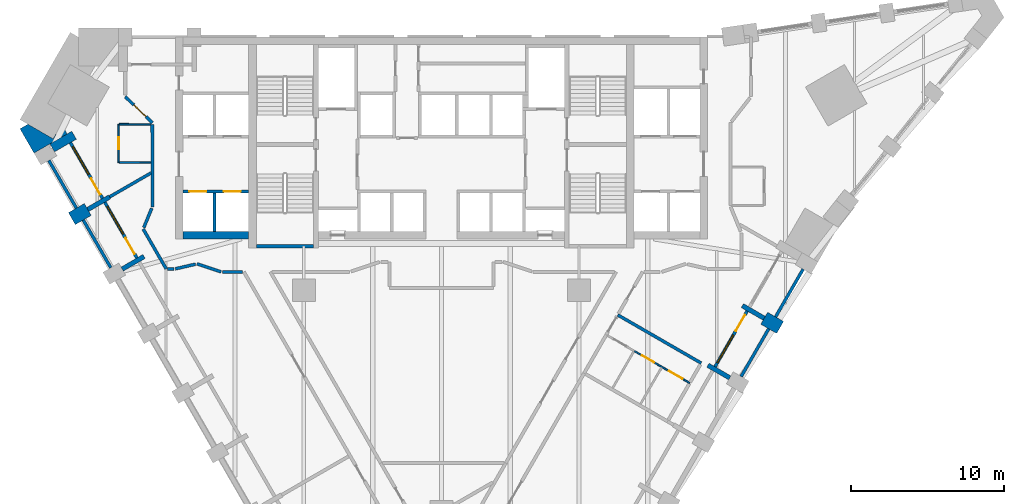
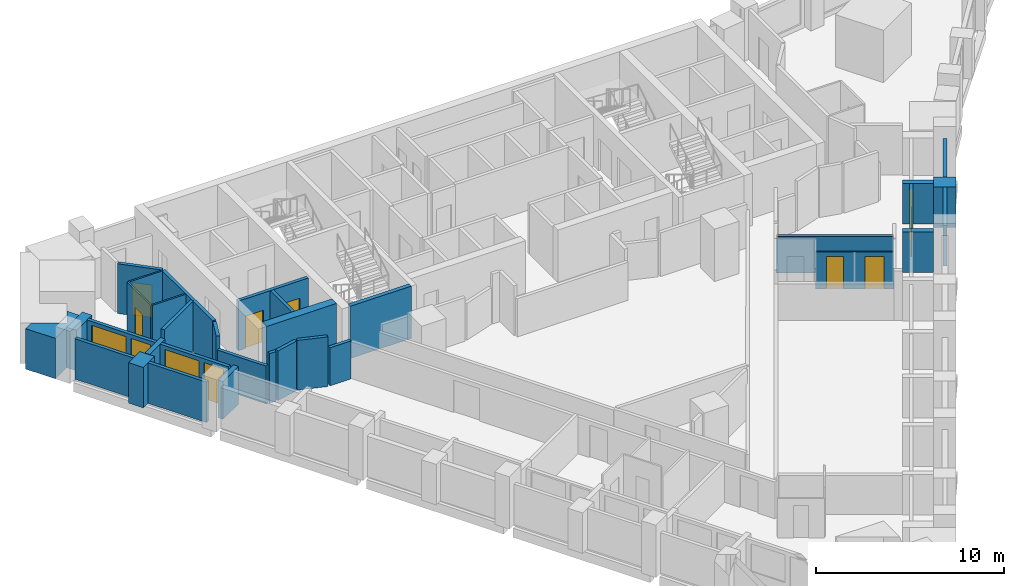
# One storey, part 5 of 10: 33 walls, 9 doors, 3 windows, 12 openings.
"""IFC4 building model written with IfcOpenShell, lengths in metres."""

from ifc_helpers import new_model, si_unit, direction, frame, frame_2d, origin, place, context, subcontext, project, spatial, polyline, rectangle, outline, extrude, material, layer, layer_set, type_object, element, fill, save


model = new_model("IFC4")

# Units and contexts
model_context = context("Model", 3, precision=1e-05, world=origin(), true_north=direction((0.0, 1.0)))
body_context = subcontext(model_context, "Body", "Model", "MODEL_VIEW")
ifc_project = project(units=[si_unit("LENGTHUNIT", "METRE"), si_unit("AREAUNIT", "SQUARE_METRE"), si_unit("VOLUMEUNIT", "CUBIC_METRE"), si_unit("PLANEANGLEUNIT", "RADIAN"), si_unit("MASSUNIT", "GRAM", prefix="KILO")], contexts=[model_context])

# Site, building, storey
site_placement = place(None, origin())
site = spatial("IfcSite", under=ifc_project, at=site_placement, CompositionType="ELEMENT")
building_placement = place(site_placement, origin())
building = spatial("IfcBuilding", under=site, at=building_placement, Name="Calabash Gate Tower", CompositionType="ELEMENT")
storey_placement = place(building_placement, frame((0.0, 0.0, 102.0)))
storey = spatial("IfcBuildingStorey", under=building, at=storey_placement, Name="L22", CompositionType="ELEMENT", Elevation=102.0)

# Walls
ifc_material_1 = material(Name="Terracotta brick masonry, exposed face", Category="masonry")
ifc_layer_1 = layer(ifc_material_1, 2.5)
ifc_layer_set_1 = layer_set([ifc_layer_1], Name="Brick corner mass wall 2500")
wall_type_1 = type_object("IfcWallType", Name="Brick corner mass wall 2500", PredefinedType="SOLIDWALL", material=ifc_layer_set_1)
wall_1_placement = place(storey_placement, origin())
element("IfcWall", 1, at=wall_1_placement, inside=storey, type_object=wall_type_1, Name="Brick corner pier S06 3c", PredefinedType="SOLIDWALL", context=body_context, shape_type="SweptSolid", body=[
    extrude(outline(polyline([(-24.837158203125, 13.3544921875), (-25.3857421875, 12.404541015625), (-27.03125, 13.3544921875), (-27.55078125, 13.054443359375), (-26.634521484375, 11.467529296875), (-24.469482421875, 12.717529296875), (-24.837158203125, 13.3544921875)])), origin(), (0.0, 0.0, 1.0), 2.6298828125),
])
ifc_material_2 = material(Name="Terracotta brick masonry, exposed face", Category="masonry")
ifc_layer_2 = layer(ifc_material_2, 1.199951171875)
ifc_layer_set_2 = layer_set([ifc_layer_2], Name="Brick end wall 1200")
wall_type_2 = type_object("IfcWallType", Name="Brick end wall 1200", PredefinedType="SOLIDWALL", material=ifc_layer_set_2)
wall_2_placement = place(storey_placement, frame((-24.159423828125, 7.1806640625, 0.0), z_axis=(0.0, 0.0, 1.0), x_axis=(0.866043267704, 0.499969057507, 0.0)))
element("IfcWall", 2, at=wall_2_placement, inside=storey, type_object=wall_type_2, Name="Brick pier S06 SW0.1", PredefinedType="SOLIDWALL", context=body_context, shape_type="SweptSolid", body=[
    extrude(rectangle(XDim=1.19970703125, YDim=0.89990234375, at=frame_2d((0.599853515625, 0.0))), origin(), (0.0, 0.0, 1.0), 2.6298828125),
])
wall_3_placement = place(storey_placement, frame((22.13671875, 0.0703125, 0.0), z_axis=(0.0, 0.0, 1.0), x_axis=(-0.865955154139, 0.50012165622, 0.0)))
element("IfcWall", 3, at=wall_3_placement, inside=storey, type_object=wall_type_2, Name="Brick pier S06 SE2.7", PredefinedType="SOLIDWALL", context=body_context, shape_type="SweptSolid", body=[
    extrude(rectangle(XDim=1.199951171875, YDim=0.89990234375, at=frame_2d((0.60009765625, 0.0))), origin(), (0.0, 0.0, 1.0), 2.6298828125),
])
ifc_material_3 = material(Name="Terracotta brick masonry, exposed face", Category="masonry")
ifc_layer_3 = layer(ifc_material_3, 0.300048828125)
ifc_layer_set_3 = layer_set([ifc_layer_3], Name="Brick loggia cheek wall 300")
wall_type_3 = type_object("IfcWallType", Name="Brick loggia cheek wall 300", PredefinedType="SOLIDWALL", material=ifc_layer_set_3)
wall_4_placement = place(storey_placement, frame((-25.4453125, 11.8076171875, 0.0), z_axis=(0.0, 0.0, 1.0), x_axis=(0.866040211805, 0.499974350878, 0.0)))
element("IfcWall", 4, at=wall_4_placement, inside=storey, type_object=wall_type_3, Name="Loggia cheek S06 SW0.0", PredefinedType="SOLIDWALL", context=body_context, shape_type="SweptSolid", body=[
    extrude(rectangle(XDim=1.64990234375, YDim=0.60009765625, at=frame_2d((0.824951171875, 0.0))), origin(), (0.0, 0.0, 1.0), 2.6298828125),
])
wall_5_placement = place(storey_placement, frame((-23.120361328125, 7.780517578125, 0.0), z_axis=(0.0, 0.0, 1.0), x_axis=(0.865976140824, 0.500085316245, 0.0)))
element("IfcWall", 5, at=wall_5_placement, inside=storey, type_object=wall_type_3, Name="Loggia cheek S06 SW0.1", PredefinedType="SOLIDWALL", context=body_context, shape_type="SweptSolid", body=[
    extrude(rectangle(XDim=1.650146484375, YDim=0.300048828125, at=frame_2d((0.8251953125, 0.0))), origin(), (0.0, 0.0, 1.0), 2.64990234375),
])
wall_6_placement = place(storey_placement, frame((-20.870361328125, 3.883544921875, 0.0), z_axis=(0.0, 0.0, 1.0), x_axis=(0.866040211805, 0.499974350878, 0.0)))
element("IfcWall", 6, at=wall_6_placement, inside=storey, type_object=wall_type_3, Name="Loggia cheek S06 SW0.2", PredefinedType="SOLIDWALL", context=body_context, shape_type="SweptSolid", body=[
    extrude(rectangle(XDim=1.64990234375, YDim=0.300048828125, at=frame_2d((0.824951171875, 0.0))), origin(), (0.0, 0.0, 1.0), 2.4501953125),
])
wall_7_placement = place(storey_placement, frame((17.418701171875, -2.40185546875, 0.0), z_axis=(0.0, 0.0, 1.0), x_axis=(0.866003217194, -0.500038426333, 0.0)))
element("IfcWall", 7, at=wall_7_placement, inside=storey, type_object=wall_type_3, Name="Loggia cheek S06 SE2.6", PredefinedType="SOLIDWALL", context=body_context, shape_type="SweptSolid", body=[
    extrude(rectangle(XDim=1.649658203125, YDim=0.300048828125, at=frame_2d((0.82470703125, 0.0))), origin(), (0.0, 0.0, 1.0), 2.64990234375),
])
wall_8_placement = place(storey_placement, frame((21.09765625, 0.67041015625, 0.0), z_axis=(0.0, 0.0, 1.0), x_axis=(-0.866040211805, 0.499974350878, 0.0)))
element("IfcWall", 8, at=wall_8_placement, inside=storey, type_object=wall_type_3, Name="Loggia cheek S06 SE2.7", PredefinedType="SOLIDWALL", context=body_context, shape_type="SweptSolid", body=[
    extrude(rectangle(XDim=1.64990234375, YDim=0.300048828125, at=frame_2d((0.824951171875, 0.0))), origin(), (0.0, 0.0, 1.0), 2.64990234375),
])
ifc_material_4 = material(Name="Concrete C80/95", Category="concrete")
ifc_layer_4 = layer(ifc_material_4, 0.25)
ifc_layer_set_4 = layer_set([ifc_layer_4], Name="Core wall 250 Concrete C80/95")
wall_type_4 = type_object("IfcWallType", Name="Core wall 250 Concrete C80/95", PredefinedType="SHEAR", material=ifc_layer_set_4)
wall_9_placement = place(storey_placement, frame((-12.10009765625, 5.377685546875, 0.0), z_axis=(0.0, 0.0, 1.0), x_axis=(1.0, 0.0, 0.0)))
element("IfcWall", 9, at=wall_9_placement, inside=storey, type_object=wall_type_4, Name="Core wall Z2-SSW L22", PredefinedType="SHEAR", context=body_context, shape_type="SweptSolid", body=[
    extrude(rectangle(XDim=3.75, YDim=0.25, at=frame_2d((1.875, 0.0))), origin(), (0.0, 0.0, 1.0), 3.39990234375),
])
ifc_material_5 = material(Name="Concrete C80/95", Category="concrete")
ifc_layer_5 = layer(ifc_material_5, 0.5)
ifc_layer_set_5 = layer_set([ifc_layer_5], Name="Core wall 500 Concrete C80/95")
wall_type_5 = type_object("IfcWallType", Name="Core wall 500 Concrete C80/95", PredefinedType="SHEAR", material=ifc_layer_set_5)
wall_10_placement = place(storey_placement, frame((-12.60009765625, 6.1025390625, 0.0), z_axis=(0.0, 0.0, 1.0), x_axis=(-1.0, 0.0, 0.0)))
element("IfcWall", 10, at=wall_10_placement, inside=storey, type_object=wall_type_5, Name="Core wall Z2-SW L22", PredefinedType="SHEAR", context=body_context, shape_type="SweptSolid", body=[
    extrude(rectangle(XDim=4.2998046875, YDim=0.5, at=frame_2d((2.14990234375, 0.0))), origin(), (0.0, 0.0, 1.0), 3.39990234375),
])

# Wall, openings, doors
ifc_material_6 = material(Name="Gypsum board on steel studs, mineral wool", Category="steel")
ifc_layer_6 = layer(ifc_material_6, 0.10009765625)
ifc_layer_set_6 = layer_set([ifc_layer_6], Name="Partition 100 gypsum board")
wall_type_6 = type_object("IfcWallType", Name="Partition 100 gypsum board", PredefinedType="PARTITIONING", material=ifc_layer_set_6)
wall_11_placement = place(storey_placement, frame((12.59326171875, -1.46337890625, 0.0), z_axis=(0.0, 0.0, 1.0), x_axis=(0.866022890907, -0.500004352405, 0.0)))
wall_11 = element("IfcWall", 11, at=wall_11_placement, inside=storey, type_object=wall_type_6, Name="Partition", PredefinedType="PARTITIONING", context=body_context, shape_type="SweptSolid", body=[
    extrude(rectangle(XDim=4.1982421875, YDim=0.10009765625, at=frame_2d((2.09912109375, 0.0))), origin(), (0.0, 0.0, 1.0), 2.384033203125),
])
opening_1_placement = place(wall_11_placement, frame((0.59814453125, 0.0, 0.0)))
opening_1 = element("IfcOpeningElement", 12, at=opening_1_placement, cuts=wall_11, Name="Opening 22-24-014", PredefinedType="OPENING", context=body_context, shape_type="SweptSolid", body=[
    extrude(rectangle(XDim=0.89990234375, YDim=2.10009765625, at=frame_2d((0.449951171875, 1.050048828125))), frame((0.0, 0.06005859375, 0.0), z_axis=(0.0, -1.0, 0.0), x_axis=(1.0, 0.0, 0.0)), (0.0, 0.0, 1.0), 0.1201171875),
])
opening_2_placement = place(wall_11_placement, frame((2.648193359375, 0.0, 0.0)))
opening_2 = element("IfcOpeningElement", 13, at=opening_2_placement, cuts=wall_11, Name="Opening 22-24-015", PredefinedType="OPENING", context=body_context, shape_type="SweptSolid", body=[
    extrude(rectangle(XDim=1.0, YDim=2.10009765625, at=frame_2d((0.5, 1.050048828125))), frame((0.0, 0.06005859375, 0.0), z_axis=(0.0, -1.0, 0.0), x_axis=(1.0, 0.0, 0.0)), (0.0, 0.0, 1.0), 0.1201171875),
])
ifc_material_7 = material(Name="Painted timber door", Category="wood")
door_type_1 = type_object("IfcDoorType", Name="WD1 WC door 900x2100", OperationType="NOTDEFINED", PredefinedType="DOOR", material=ifc_material_7)
door_1_placement = place(opening_1_placement, origin())
door_1 = element("IfcDoor", 14, at=door_1_placement, inside=storey, type_object=door_type_1, Name="WC door", OperationType="SINGLE_SWING_RIGHT", OverallHeight=2.10009765625, OverallWidth=0.89990234375, PredefinedType="DOOR", context=body_context, shape_type="SweptSolid", body=[
    extrude(rectangle(XDim=0.89990234375, YDim=2.10009765625, at=frame_2d((0.449951171875, 1.050048828125))), frame((0.0, 0.02490234375, 0.0), z_axis=(0.0, -1.0, 0.0), x_axis=(1.0, 0.0, 0.0)), (0.0, 0.0, 1.0), 0.050048828125),
])
fill(opening_1, door_1)
ifc_material_8 = material(Name="Painted timber door", Category="wood")
door_type_2 = type_object("IfcDoorType", Name="WD2 Accessible WC door 1000x2100", OperationType="NOTDEFINED", PredefinedType="DOOR", material=ifc_material_8)
door_2_placement = place(opening_2_placement, origin())
door_2 = element("IfcDoor", 15, at=door_2_placement, inside=storey, type_object=door_type_2, Name="Accessible WC door", OperationType="SINGLE_SWING_LEFT", OverallHeight=2.10009765625, OverallWidth=1.0, PredefinedType="DOOR", context=body_context, shape_type="SweptSolid", body=[
    extrude(rectangle(XDim=1.0, YDim=2.10009765625, at=frame_2d((0.5, 1.050048828125))), frame((0.0, 0.02490234375, 0.0), z_axis=(0.0, -1.0, 0.0), x_axis=(1.0, 0.0, 0.0)), (0.0, 0.0, 1.0), 0.050048828125),
])
fill(opening_2, door_2)

# Wall
wall_12_placement = place(storey_placement, frame((-21.050537109375, 10.852294921875, 0.0), z_axis=(0.0, 0.0, 1.0), x_axis=(0.99999965253, 0.000833630769, 0.0)))
element("IfcWall", 16, at=wall_12_placement, inside=storey, type_object=wall_type_6, Name="Partition", PredefinedType="PARTITIONING", context=body_context, shape_type="SweptSolid", body=[
    extrude(rectangle(XDim=2.050048828125, YDim=0.10009765625, at=frame_2d((1.02490234375, 0.0))), origin(), (0.0, 0.0, 1.0), 3.22998046875),
])

# Wall, opening, door
wall_13_placement = place(storey_placement, frame((-21.1005859375, 10.852294921875, 0.0), z_axis=(0.0, 0.0, 1.0), x_axis=(0.0, 1.0, 0.0)))
wall_13 = element("IfcWall", 17, at=wall_13_placement, inside=storey, type_object=wall_type_6, Name="Partition", PredefinedType="PARTITIONING", context=body_context, shape_type="SweptSolid", body=[
    extrude(rectangle(XDim=2.5, YDim=0.10009765625, at=frame_2d((1.25, 0.0))), origin(), (0.0, 0.0, 1.0), 3.22998046875),
])
opening_3_placement = place(wall_13_placement, frame((0.85009765625, 0.0, 0.0)))
opening_3 = element("IfcOpeningElement", 18, at=opening_3_placement, cuts=wall_13, Name="Opening 22-24-009", PredefinedType="OPENING", context=body_context, shape_type="SweptSolid", body=[
    extrude(rectangle(XDim=0.800048828125, YDim=2.10009765625, at=frame_2d((0.39990234375, 1.050048828125))), frame((0.0, 0.06005859375, 0.0), z_axis=(0.0, -1.0, 0.0), x_axis=(1.0, 0.0, 0.0)), (0.0, 0.0, 1.0), 0.1201171875),
])
ifc_material_9 = material(Name="Painted timber door", Category="wood")
door_type_3 = type_object("IfcDoorType", Name="GD5 En-suite door 800x2100", OperationType="NOTDEFINED", PredefinedType="DOOR", material=ifc_material_9)
door_3_placement = place(opening_3_placement, origin())
door_3 = element("IfcDoor", 19, at=door_3_placement, inside=storey, type_object=door_type_3, Name="En-suite door", OperationType="SINGLE_SWING_RIGHT", OverallHeight=2.10009765625, OverallWidth=0.800048828125, PredefinedType="DOOR", context=body_context, shape_type="SweptSolid", body=[
    extrude(rectangle(XDim=0.800048828125, YDim=2.10009765625, at=frame_2d((0.39990234375, 1.050048828125))), frame((0.0, 0.02490234375, 0.0), z_axis=(0.0, -1.0, 0.0), x_axis=(1.0, 0.0, 0.0)), (0.0, 0.0, 1.0), 0.050048828125),
])
fill(opening_3, door_3)

# Walls
wall_14_placement = place(storey_placement, frame((-21.050537109375, 13.352294921875, 0.0), z_axis=(0.0, 0.0, 1.0), x_axis=(0.99999965253, -0.000833630769, 0.0)))
element("IfcWall", 20, at=wall_14_placement, inside=storey, type_object=wall_type_6, Name="Partition", PredefinedType="PARTITIONING", context=body_context, shape_type="SweptSolid", body=[
    extrude(rectangle(XDim=2.050048828125, YDim=0.10009765625, at=frame_2d((1.02490234375, 0.0))), origin(), (0.0, 0.0, 1.0), 3.22998046875),
])
ifc_material_10 = material(Name="Gypsum board on steel studs, mineral wool", Category="steel")
ifc_layer_7 = layer(ifc_material_10, 0.199951171875)
ifc_layer_set_7 = layer_set([ifc_layer_7], Name="Partition 200 gypsum board EI 60")
wall_type_7 = type_object("IfcWallType", Name="Partition 200 gypsum board EI 60", PredefinedType="PARTITIONING", material=ifc_layer_set_7)
wall_15_placement = place(storey_placement, frame((11.52490234375, 0.885986328125, 0.0), z_axis=(0.0, 0.0, 1.0), x_axis=(0.866148153111, -0.499787331635, 0.0)))
element("IfcWall", 21, at=wall_15_placement, inside=storey, type_object=wall_type_7, Name="Partition", PredefinedType="PARTITIONING", context=body_context, shape_type="SweptSolid", body=[
    extrude(rectangle(XDim=6.298095703125, YDim=0.199951171875, at=frame_2d((3.14892578125, 0.0))), origin(), (0.0, 0.0, 1.0), 2.384033203125),
])
wall_16_placement = place(storey_placement, frame((-14.300048828125, 3.699462890625, 0.0), z_axis=(0.0, 0.0, 1.0), x_axis=(1.0, 0.0, 0.0)))
element("IfcWall", 22, at=wall_16_placement, inside=storey, type_object=wall_type_7, Name="Partition", PredefinedType="PARTITIONING", context=body_context, shape_type="SweptSolid", body=[
    extrude(rectangle(XDim=1.287353515625, YDim=0.199951171875, at=frame_2d((0.6435546875, 0.0))), origin(), (0.0, 0.0, 1.0), 2.4736328125),
])
wall_17_placement = place(storey_placement, frame((-17.8935546875, 3.89990234375, 0.0), z_axis=(0.0, 0.0, 1.0), x_axis=(0.999999807585, -0.000620347275, 0.0)))
element("IfcWall", 23, at=wall_17_placement, inside=storey, type_object=wall_type_7, Name="Partition", PredefinedType="PARTITIONING", context=body_context, shape_type="SweptSolid", body=[
    extrude(rectangle(XDim=0.3935546875, YDim=0.199951171875, at=frame_2d((0.19677734375, 0.0))), origin(), (0.0, 0.0, 1.0), 3.22998046875),
])
wall_18_placement = place(storey_placement, frame((-17.39990234375, 3.8994140625, 0.0), z_axis=(0.0, 0.0, 1.0), x_axis=(0.974284755848, 0.225320248808, 0.0)))
element("IfcWall", 24, at=wall_18_placement, inside=storey, type_object=wall_type_7, Name="Partition", PredefinedType="PARTITIONING", context=body_context, shape_type="SweptSolid", body=[
    extrude(rectangle(XDim=1.3544921875, YDim=0.199951171875, at=frame_2d((0.67724609375, 0.0))), origin(), (0.0, 0.0, 1.0), 3.22998046875),
])
wall_19_placement = place(storey_placement, frame((-15.98291015625, 4.22705078125, 0.0), z_axis=(0.0, 0.0, 1.0), x_axis=(0.948683298051, -0.316227766017, 0.0)))
element("IfcWall", 25, at=wall_19_placement, inside=storey, type_object=wall_type_7, Name="Partition", PredefinedType="PARTITIONING", context=body_context, shape_type="SweptSolid", body=[
    extrude(rectangle(XDim=1.66845703125, YDim=0.199951171875, at=frame_2d((0.834228515625, 0.0))), origin(), (0.0, 0.0, 1.0), 3.22998046875),
])
wall_20_placement = place(storey_placement, frame((-19.496826171875, 6.50390625, 0.0), z_axis=(0.0, 0.0, 1.0), x_axis=(0.499938005563, -0.866061193331, 0.0)))
element("IfcWall", 26, at=wall_20_placement, inside=storey, type_object=wall_type_7, Name="Partition", PredefinedType="PARTITIONING", context=body_context, shape_type="SweptSolid", body=[
    extrude(rectangle(XDim=3.0068359375, YDim=0.199951171875, at=frame_2d((1.50341796875, 0.0))), origin(), (0.0, 0.0, 1.0), 2.4501953125),
])
wall_21_placement = place(storey_placement, frame((-19.458740234375, 6.596435546875, 0.0), z_axis=(0.0, 0.0, 1.0), x_axis=(0.380552104402, 0.924759479992, 0.0)))
element("IfcWall", 27, at=wall_21_placement, inside=storey, type_object=wall_type_7, Name="Partition", PredefinedType="PARTITIONING", context=body_context, shape_type="SweptSolid", body=[
    extrude(rectangle(XDim=1.366455078125, YDim=0.199951171875, at=frame_2d((0.68310546875, 0.0))), origin(), (0.0, 0.0, 1.0), 3.22998046875),
])
wall_22_placement = place(storey_placement, frame((-21.69140625, 8.605712890625, 0.0), z_axis=(0.0, 0.0, 1.0), x_axis=(0.866035862278, 0.499981884921, 0.0)))
element("IfcWall", 28, at=wall_22_placement, inside=storey, type_object=wall_type_7, Name="Partition", PredefinedType="PARTITIONING", context=body_context, shape_type="SweptSolid", body=[
    extrude(rectangle(XDim=3.12255859375, YDim=0.199951171875, at=frame_2d((1.561279296875, 0.0))), origin(), (0.0, 0.0, 1.0), 3.22998046875),
])
wall_23_placement = place(storey_placement, frame((-18.904052734375, 13.352294921875, 0.0), z_axis=(0.0, 0.0, 1.0), x_axis=(0.000678211175, -0.999999770015, 0.0)))
element("IfcWall", 29, at=wall_23_placement, inside=storey, type_object=wall_type_7, Name="Partition", PredefinedType="PARTITIONING", context=body_context, shape_type="SweptSolid", body=[
    extrude(rectangle(XDim=5.399658203125, YDim=0.199951171875, at=frame_2d((2.69970703125, 0.0))), origin(), (0.0, 0.0, 1.0), 3.22998046875),
])

# Wall, opening, door
wall_24_placement = place(storey_placement, frame((-20.66943359375, 15.15234375, 0.0), z_axis=(0.0, 0.0, 1.0), x_axis=(0.721047194307, -0.692885952796, 0.0)))
wall_24 = element("IfcWall", 30, at=wall_24_placement, inside=storey, type_object=wall_type_7, Name="Partition", PredefinedType="PARTITIONING", context=body_context, shape_type="SweptSolid", body=[
    extrude(rectangle(XDim=2.453369140625, YDim=0.199951171875, at=frame_2d((1.2265625, 0.0))), origin(), (0.0, 0.0, 1.0), 3.22998046875),
])
opening_4_placement = place(wall_24_placement, frame((0.776611328125, 0.0, 0.0)))
opening_4 = element("IfcOpeningElement", 31, at=opening_4_placement, cuts=wall_24, Name="Opening 22-24-016", PredefinedType="OPENING", context=body_context, shape_type="SweptSolid", body=[
    extrude(rectangle(XDim=1.10009765625, YDim=2.10009765625, at=frame_2d((0.550048828125, 1.050048828125))), frame((0.0, 0.10986328125, 0.0), z_axis=(0.0, -1.0, 0.0), x_axis=(1.0, 0.0, 0.0)), (0.0, 0.0, 1.0), 0.219970703125),
])
ifc_material_11 = material(Name="Steel fire door set with fire-resisting glazing", Category="steel")
door_type_4 = type_object("IfcDoorType", Name="GD3 Suite entrance door 1100x2100", OperationType="NOTDEFINED", PredefinedType="DOOR", material=ifc_material_11)
door_4_placement = place(opening_4_placement, origin())
door_4 = element("IfcDoor", 32, at=door_4_placement, inside=storey, type_object=door_type_4, Name="Suite entrance door", OperationType="SINGLE_SWING_LEFT", OverallHeight=2.10009765625, OverallWidth=1.10009765625, PredefinedType="DOOR", context=body_context, shape_type="SweptSolid", body=[
    extrude(rectangle(XDim=1.10009765625, YDim=2.10009765625, at=frame_2d((0.550048828125, 1.050048828125))), frame((0.0, 0.02490234375, 0.0), z_axis=(0.0, -1.0, 0.0), x_axis=(1.0, 0.0, 0.0)), (0.0, 0.0, 1.0), 0.050048828125),
])
fill(opening_4, door_4)

# Wall
ifc_material_12 = material(Name="Concrete C40/50", Category="concrete")
ifc_layer_8 = layer(ifc_material_12, 0.199951171875)
ifc_layer_set_8 = layer_set([ifc_layer_8], Name="Shaft wall 200 Concrete C40/50")
wall_type_8 = type_object("IfcWallType", Name="Shaft wall 200 Concrete C40/50", PredefinedType="SOLIDWALL", material=ifc_layer_set_8)
wall_25_placement = place(storey_placement, frame((-14.85009765625, 6.3525390625, 0.0), z_axis=(0.0, 0.0, 1.0), x_axis=(0.0, 1.0, 0.0)))
element("IfcWall", 33, at=wall_25_placement, inside=storey, type_object=wall_type_8, Name="Shaft wall", PredefinedType="SOLIDWALL", context=body_context, shape_type="SweptSolid", body=[
    extrude(rectangle(XDim=2.5, YDim=0.199951171875, at=frame_2d((1.25, 0.0))), origin(), (0.0, 0.0, 1.0), 3.22998046875),
])

# Wall, openings, doors
wall_26_placement = place(storey_placement, frame((-16.89990234375, 8.95263671875, 0.0), z_axis=(0.0, 0.0, 1.0), x_axis=(1.0, 0.0, 0.0)))
wall_26 = element("IfcWall", 34, at=wall_26_placement, inside=storey, type_object=wall_type_8, Name="Shaft wall", PredefinedType="SOLIDWALL", context=body_context, shape_type="SweptSolid", body=[
    extrude(rectangle(XDim=4.2998046875, YDim=0.199951171875, at=frame_2d((2.14990234375, 0.0))), origin(), (0.0, 0.0, 1.0), 3.22998046875),
])
opening_5_placement = place(wall_26_placement, frame((2.675048828125, 0.0, 0.0)))
opening_5 = element("IfcOpeningElement", 35, at=opening_5_placement, cuts=wall_26, Name="Opening LD-LR1", PredefinedType="OPENING", context=body_context, shape_type="SweptSolid", body=[
    extrude(rectangle(XDim=1.10009765625, YDim=2.10009765625, at=frame_2d((0.550048828125, 1.050048828125))), frame((0.0, 0.10986328125, 0.0), z_axis=(0.0, -1.0, 0.0), x_axis=(1.0, 0.0, 0.0)), (0.0, 0.0, 1.0), 0.219970703125),
])
opening_6_placement = place(wall_26_placement, frame((0.425048828125, 0.0, 0.0)))
opening_6 = element("IfcOpeningElement", 36, at=opening_6_placement, cuts=wall_26, Name="Opening LD-LR2", PredefinedType="OPENING", context=body_context, shape_type="SweptSolid", body=[
    extrude(rectangle(XDim=1.10009765625, YDim=2.10009765625, at=frame_2d((0.550048828125, 1.050048828125))), frame((0.0, 0.10986328125, 0.0), z_axis=(0.0, -1.0, 0.0), x_axis=(1.0, 0.0, 0.0)), (0.0, 0.0, 1.0), 0.219970703125),
])
ifc_material_13 = material(Name="Stainless steel sliding door leaves", Category="steel")
door_type_5 = type_object("IfcDoorType", Name="Lift landing door LS1 1100x2100 FD90", OperationType="DOUBLE_DOOR_SLIDING", PredefinedType="DOOR", material=ifc_material_13)
door_5_placement = place(opening_5_placement, origin())
door_5 = element("IfcDoor", 37, at=door_5_placement, inside=storey, type_object=door_type_5, Name="Lift landing door LR1", OperationType="DOUBLE_DOOR_SLIDING", OverallHeight=2.10009765625, OverallWidth=1.10009765625, PredefinedType="DOOR", context=body_context, shape_type="SweptSolid", body=[
    extrude(rectangle(XDim=1.10009765625, YDim=2.10009765625, at=frame_2d((0.550048828125, 1.050048828125))), frame((0.0, 0.02490234375, 0.0), z_axis=(0.0, -1.0, 0.0), x_axis=(1.0, 0.0, 0.0)), (0.0, 0.0, 1.0), 0.050048828125),
])
fill(opening_5, door_5)
door_6_placement = place(opening_6_placement, origin())
door_6 = element("IfcDoor", 38, at=door_6_placement, inside=storey, type_object=door_type_5, Name="Lift landing door LR2", OperationType="DOUBLE_DOOR_SLIDING", OverallHeight=2.10009765625, OverallWidth=1.10009765625, PredefinedType="DOOR", context=body_context, shape_type="SweptSolid", body=[
    extrude(rectangle(XDim=1.10009765625, YDim=2.10009765625, at=frame_2d((0.550048828125, 1.050048828125))), frame((0.0, 0.02490234375, 0.0), z_axis=(0.0, -1.0, 0.0), x_axis=(1.0, 0.0, 0.0)), (0.0, 0.0, 1.0), 0.050048828125),
])
fill(opening_6, door_6)

# Walls
ifc_material_14 = material(Name="Terracotta brick masonry, perforated", Category="masonry")
ifc_layer_9 = layer(ifc_material_14, 0.199951171875)
ifc_layer_set_9 = layer_set([ifc_layer_9], Name="Terracotta jaali screen B")
wall_type_9 = type_object("IfcWallType", Name="Terracotta jaali screen B", PredefinedType="SOLIDWALL", material=ifc_layer_set_9)
for number, where, z_axis, x_axis, name in (
    (39, (-25.664794921875, 10.988037109375, 0.0), (0.0, 0.0, 1.0), (0.499961193289, -0.866047807691, 0.0), "SCREEN B S06 SW0.1"),
    (40, (-23.414794921875, 7.0908203125, 0.0), (0.0, 0.0, 1.0), (0.499961193289, -0.866047807691, 0.0), "SCREEN B S06 SW0.2"),
):
    element("IfcWall", number, at=place(storey_placement, frame(where, z_axis=z_axis, x_axis=x_axis)), inside=storey, type_object=wall_type_9, Name=name, PredefinedType="SOLIDWALL", context=body_context, shape_type="SweptSolid", body=[
        extrude(rectangle(XDim=3.599853515625, YDim=0.199951171875, at=frame_2d((1.7998046875, 0.0))), origin(), (0.0, 0.0, 1.0), 2.6298828125),
    ])
for number, where, z_axis, x_axis, name in (
    (41, (19.592041015625, -3.136962890625, 0.0), (0.0, 0.0, 1.0), (0.500012057535, 0.866018442252, 0.0), "SCREEN B S06 SE2.7"),
    (42, (21.842041015625, 0.760009765625, 0.0), (0.0, 0.0, 1.0), (0.500012057535, 0.866018442252, 0.0), "SCREEN B S06 SE2.8"),
):
    element("IfcWall", number, at=place(storey_placement, frame(where, z_axis=z_axis, x_axis=x_axis)), inside=storey, type_object=wall_type_9, Name=name, PredefinedType="SOLIDWALL", context=body_context, shape_type="SweptSolid", body=[
        extrude(rectangle(XDim=3.60009765625, YDim=0.199951171875, at=frame_2d((1.800048828125, 0.0))), origin(), (0.0, 0.0, 1.0), 2.6298828125),
    ])

# Wall, openings, door, window
ifc_material_15 = material(Name="Aluminium framed window wall with insulated spandrel", Category="aluminium")
ifc_layer_10 = layer(ifc_material_15, 0.199951171875)
ifc_layer_set_10 = layer_set([ifc_layer_10], Name="Window wall 200")
wall_type_10 = type_object("IfcWallType", Name="Window wall 200", PredefinedType="ELEMENTEDWALL", material=ifc_layer_set_10)
wall_27_placement = place(storey_placement, frame((-24.256103515625, 12.147705078125, 0.0), z_axis=(0.0, 0.0, 1.0), x_axis=(0.500027713859, -0.866009402589, 0.0)))
wall_27 = element("IfcWall", 43, at=wall_27_placement, inside=storey, type_object=wall_type_10, Name="Window wall S06 SW0.1", PredefinedType="ELEMENTEDWALL", context=body_context, shape_type="SweptSolid", body=[
    extrude(rectangle(XDim=4.199951171875, YDim=0.199951171875, at=frame_2d((2.10009765625, 0.0))), origin(), (0.0, 0.0, 1.0), 2.64990234375),
])
opening_7_placement = place(wall_27_placement, frame((0.300048828125, 0.0, 0.60009765625)))
opening_7 = element("IfcOpeningElement", 44, at=opening_7_placement, cuts=wall_27, Name="Opening HW1", PredefinedType="OPENING", context=body_context, shape_type="SweptSolid", body=[
    extrude(rectangle(XDim=2.10009765625, YDim=1.800048828125, at=frame_2d((1.050048828125, 0.89990234375))), frame((0.0, 0.10986328125, 0.0), z_axis=(0.0, -1.0, 0.0), x_axis=(1.0, 0.0, 0.0)), (0.0, 0.0, 1.0), 0.219970703125),
])
opening_8_placement = place(wall_27_placement, frame((2.699951171875, 0.0, 0.0)))
opening_8 = element("IfcOpeningElement", 45, at=opening_8_placement, cuts=wall_27, Name="Opening H6-021", PredefinedType="OPENING", context=body_context, shape_type="SweptSolid", body=[
    extrude(rectangle(XDim=1.199951171875, YDim=2.39990234375, at=frame_2d((0.60009765625, 1.199951171875))), frame((0.0, 0.10986328125, 0.0), z_axis=(0.0, -1.0, 0.0), x_axis=(1.0, 0.0, 0.0)), (0.0, 0.0, 1.0), 0.219970703125),
])
ifc_material_16 = material(Name="Anodised aluminium frame, bronze finish, impact-rated laminated clear glazing", Category="aluminium")
door_type_6 = type_object("IfcDoorType", Name="Loggia door DH1 1200x2400", OperationType="SLIDING_TO_LEFT", PredefinedType="DOOR", material=ifc_material_16)
door_7_placement = place(opening_8_placement, origin())
door_7 = element("IfcDoor", 46, at=door_7_placement, inside=storey, type_object=door_type_6, Name="Loggia door S06 SW0.1", OperationType="SINGLE_SWING_LEFT", OverallHeight=2.39990234375, OverallWidth=1.199951171875, PredefinedType="DOOR", context=body_context, shape_type="SweptSolid", body=[
    extrude(rectangle(XDim=1.199951171875, YDim=2.39990234375, at=frame_2d((0.60009765625, 1.199951171875))), frame((0.0, 0.02490234375, 0.0), z_axis=(0.0, -1.0, 0.0), x_axis=(1.0, 0.0, 0.0)), (0.0, 0.0, 1.0), 0.050048828125),
])
fill(opening_8, door_7)
ifc_material_17 = material(Name="Anodised aluminium frame, bronze finish, impact-rated laminated clear glazing", Category="aluminium")
window_type = type_object("IfcWindowType", Name="Window HW1 2100x1800", PartitioningType="DOUBLE_PANEL_VERTICAL", PredefinedType="WINDOW", material=ifc_material_17)
window_1_placement = place(opening_7_placement, origin())
window_1 = element("IfcWindow", 47, at=window_1_placement, inside=storey, type_object=window_type, Name="Window HW1 S06 SW0.1", OverallHeight=1.800048828125, OverallWidth=2.10009765625, PartitioningType="SINGLE_PANEL", PredefinedType="WINDOW", context=body_context, shape_type="SweptSolid", body=[
    extrude(rectangle(XDim=2.10009765625, YDim=1.800048828125, at=frame_2d((1.050048828125, 0.89990234375))), frame((0.0, 0.030029296875, 0.0), z_axis=(0.0, -1.0, 0.0), x_axis=(1.0, 0.0, 0.0)), (0.0, 0.0, 1.0), 0.06005859375),
])
fill(opening_7, window_1)

wall_28_placement = place(storey_placement, frame((-22.006103515625, 8.250732421875, 0.0), z_axis=(0.0, 0.0, 1.0), x_axis=(0.500002543286, -0.866023935413, 0.0)))
wall_28 = element("IfcWall", 48, at=wall_28_placement, inside=storey, type_object=wall_type_10, Name="Window wall S06 SW0.2", PredefinedType="ELEMENTEDWALL", context=body_context, shape_type="SweptSolid", body=[
    extrude(rectangle(XDim=4.2001953125, YDim=0.199951171875, at=frame_2d((2.10009765625, 0.0))), origin(), (0.0, 0.0, 1.0), 2.64990234375),
])
opening_9_placement = place(wall_28_placement, frame((0.300048828125, 0.0, 0.60009765625)))
opening_9 = element("IfcOpeningElement", 49, at=opening_9_placement, cuts=wall_28, Name="Opening HW1", PredefinedType="OPENING", context=body_context, shape_type="SweptSolid", body=[
    extrude(rectangle(XDim=2.10009765625, YDim=1.800048828125, at=frame_2d((1.050048828125, 0.89990234375))), frame((0.0, 0.10986328125, 0.0), z_axis=(0.0, -1.0, 0.0), x_axis=(1.0, 0.0, 0.0)), (0.0, 0.0, 1.0), 0.219970703125),
])
opening_10_placement = place(wall_28_placement, frame((2.699951171875, 0.0, 0.0)))
opening_10 = element("IfcOpeningElement", 50, at=opening_10_placement, cuts=wall_28, Name="Opening H6-022", PredefinedType="OPENING", context=body_context, shape_type="SweptSolid", body=[
    extrude(rectangle(XDim=1.199951171875, YDim=2.39990234375, at=frame_2d((0.60009765625, 1.199951171875))), frame((0.0, 0.10986328125, 0.0), z_axis=(0.0, -1.0, 0.0), x_axis=(1.0, 0.0, 0.0)), (0.0, 0.0, 1.0), 0.219970703125),
])
door_8_placement = place(opening_10_placement, origin())
door_8 = element("IfcDoor", 51, at=door_8_placement, inside=storey, type_object=door_type_6, Name="Loggia door S06 SW0.2", OperationType="SINGLE_SWING_LEFT", OverallHeight=2.39990234375, OverallWidth=1.199951171875, PredefinedType="DOOR", context=body_context, shape_type="SweptSolid", body=[
    extrude(rectangle(XDim=1.199951171875, YDim=2.39990234375, at=frame_2d((0.60009765625, 1.199951171875))), frame((0.0, 0.02490234375, 0.0), z_axis=(0.0, -1.0, 0.0), x_axis=(1.0, 0.0, 0.0)), (0.0, 0.0, 1.0), 0.050048828125),
])
fill(opening_10, door_8)
window_2_placement = place(opening_9_placement, origin())
window_2 = element("IfcWindow", 52, at=window_2_placement, inside=storey, type_object=window_type, Name="Window HW1 S06 SW0.2", OverallHeight=1.800048828125, OverallWidth=2.10009765625, PartitioningType="SINGLE_PANEL", PredefinedType="WINDOW", context=body_context, shape_type="SweptSolid", body=[
    extrude(rectangle(XDim=2.10009765625, YDim=1.800048828125, at=frame_2d((1.050048828125, 0.89990234375))), frame((0.0, 0.030029296875, 0.0), z_axis=(0.0, -1.0, 0.0), x_axis=(1.0, 0.0, 0.0)), (0.0, 0.0, 1.0), 0.06005859375),
])
fill(opening_9, window_2)

wall_29_placement = place(storey_placement, frame((17.88330078125, -2.496826171875, 0.0), z_axis=(0.0, 0.0, 1.0), x_axis=(0.500027713859, 0.866009402589, 0.0)))
wall_29 = element("IfcWall", 53, at=wall_29_placement, inside=storey, type_object=wall_type_10, Name="Window wall S06 SE2.7", PredefinedType="ELEMENTEDWALL", context=body_context, shape_type="SweptSolid", body=[
    extrude(rectangle(XDim=4.199951171875, YDim=0.199951171875, at=frame_2d((2.10009765625, 0.0))), origin(), (0.0, 0.0, 1.0), 2.64990234375),
])
opening_11_placement = place(wall_29_placement, frame((0.300048828125, 0.0, 0.60009765625)))
opening_11 = element("IfcOpeningElement", 54, at=opening_11_placement, cuts=wall_29, Name="Opening HW1", PredefinedType="OPENING", context=body_context, shape_type="SweptSolid", body=[
    extrude(rectangle(XDim=2.10009765625, YDim=1.800048828125, at=frame_2d((1.050048828125, 0.89990234375))), frame((0.0, 0.10986328125, 0.0), z_axis=(0.0, -1.0, 0.0), x_axis=(1.0, 0.0, 0.0)), (0.0, 0.0, 1.0), 0.219970703125),
])
opening_12_placement = place(wall_29_placement, frame((2.699951171875, 0.0, 0.0)))
opening_12 = element("IfcOpeningElement", 55, at=opening_12_placement, cuts=wall_29, Name="Opening H6-019", PredefinedType="OPENING", context=body_context, shape_type="SweptSolid", body=[
    extrude(rectangle(XDim=1.199951171875, YDim=2.39990234375, at=frame_2d((0.60009765625, 1.199951171875))), frame((0.0, 0.10986328125, 0.0), z_axis=(0.0, -1.0, 0.0), x_axis=(1.0, 0.0, 0.0)), (0.0, 0.0, 1.0), 0.219970703125),
])
door_9_placement = place(opening_12_placement, origin())
door_9 = element("IfcDoor", 56, at=door_9_placement, inside=storey, type_object=door_type_6, Name="Loggia door S06 SE2.7", OperationType="SINGLE_SWING_LEFT", OverallHeight=2.39990234375, OverallWidth=1.199951171875, PredefinedType="DOOR", context=body_context, shape_type="SweptSolid", body=[
    extrude(rectangle(XDim=1.199951171875, YDim=2.39990234375, at=frame_2d((0.60009765625, 1.199951171875))), frame((0.0, 0.02490234375, 0.0), z_axis=(0.0, -1.0, 0.0), x_axis=(1.0, 0.0, 0.0)), (0.0, 0.0, 1.0), 0.050048828125),
])
fill(opening_12, door_9)
window_3_placement = place(opening_11_placement, origin())
window_3 = element("IfcWindow", 57, at=window_3_placement, inside=storey, type_object=window_type, Name="Window HW1 S06 SE2.7", OverallHeight=1.800048828125, OverallWidth=2.10009765625, PartitioningType="SINGLE_PANEL", PredefinedType="WINDOW", context=body_context, shape_type="SweptSolid", body=[
    extrude(rectangle(XDim=2.10009765625, YDim=1.800048828125, at=frame_2d((1.050048828125, 0.89990234375))), frame((0.0, 0.030029296875, 0.0), z_axis=(0.0, -1.0, 0.0), x_axis=(1.0, 0.0, 0.0)), (0.0, 0.0, 1.0), 0.06005859375),
])
fill(opening_11, window_3)

save(model, "model.ifc")
